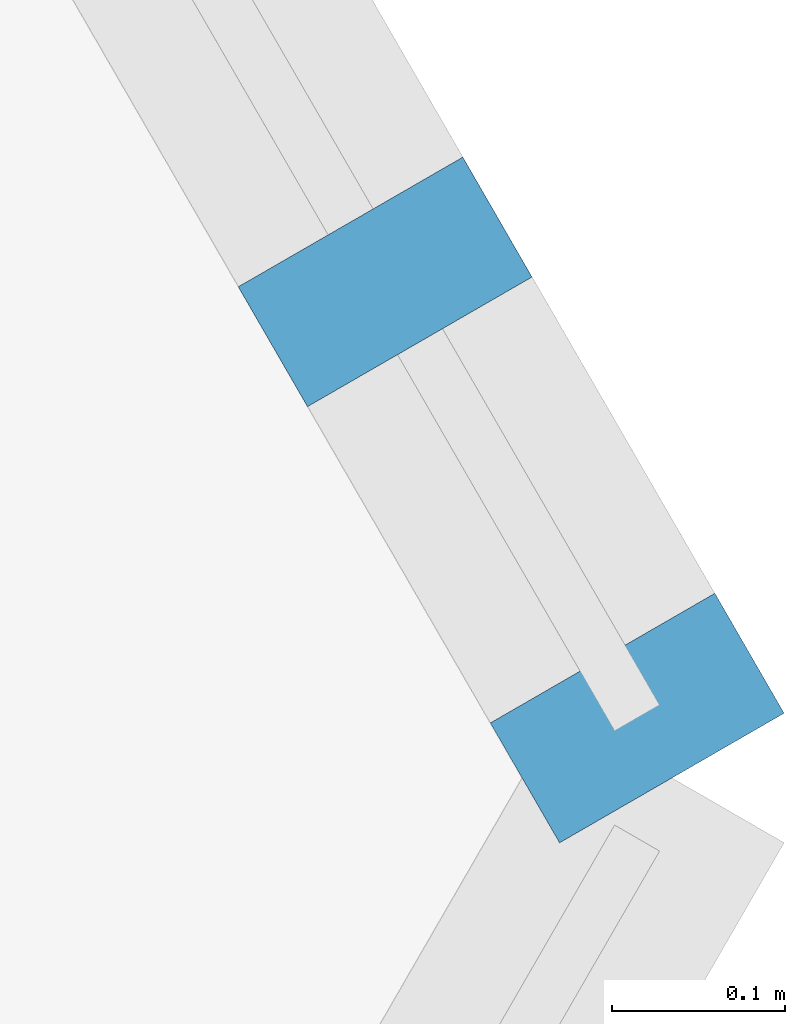
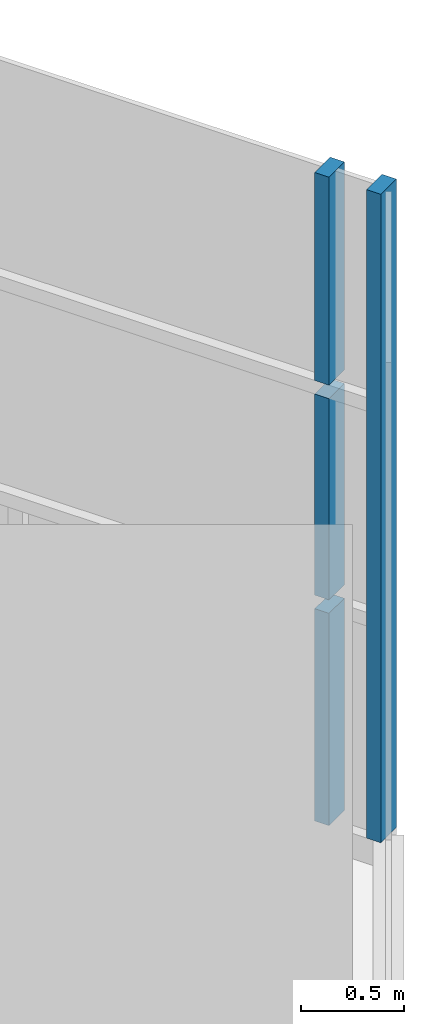
# One storey, part 12 of 26: 4 members, 1 element without a shape of its own.
"""IFC4 building model written with IfcOpenShell, lengths in metres."""

from ifc_helpers import new_model, si_unit, direction, frame, origin, origin_2d, place, context, subcontext, project, spatial, rectangle, extrude, material, layer, layer_set, material_profile, profile_set, type_object, element, aggregate, save


model = new_model("IFC4")

# Units and contexts
model_context = context("Model", 3, precision=1e-05, world=origin(), true_north=direction((0.0, 1.0)))
body_context = subcontext(model_context, "Body", "Model", "MODEL_VIEW")
ifc_project = project(units=[si_unit("LENGTHUNIT", "METRE"), si_unit("AREAUNIT", "SQUARE_METRE"), si_unit("VOLUMEUNIT", "CUBIC_METRE"), si_unit("PLANEANGLEUNIT", "RADIAN"), si_unit("MASSUNIT", "GRAM", prefix="KILO")], contexts=[model_context])

# Site, building, storey
site_placement = place(None, origin())
site = spatial("IfcSite", under=ifc_project, at=site_placement, CompositionType="ELEMENT")
building_placement = place(site_placement, origin())
building = spatial("IfcBuilding", under=site, at=building_placement, Name="Firuza Gate Tower and Library", CompositionType="ELEMENT")
storey_placement = place(building_placement, frame((0.0, 0.0, 77.800048828125)))
storey = spatial("IfcBuildingStorey", under=building, at=storey_placement, Name="L17", CompositionType="ELEMENT", Elevation=77.800048828125)

# Curtain wall, members
ifc_material_1 = material(Name="Aluminium 6063-T6", Category="aluminium")
ifc_layer = layer(ifc_material_1, 0.14990234375)
ifc_layer_set = layer_set([ifc_layer], Name="Unitised curtain wall, offices")
curtain_wall_type = type_object("IfcCurtainWallType", Name="Unitised curtain wall, offices", PredefinedType="NOTDEFINED", material=ifc_layer_set)
curtain_wall_placement = place(storey_placement, origin())
curtain_wall = element("IfcCurtainWall", 1, at=curtain_wall_placement, inside=storey, type_object=curtain_wall_type, Name="CW1 L17 E face", PredefinedType="NOTDEFINED")
ifc_material_2 = material(Name="Aluminium 6063-T6", Category="aluminium")
ifc_material_profile = material_profile(ifc_material_2, rectangle(XDim=0.14990234375, YDim=0.080078125, at=origin_2d()))
ifc_profile_set = profile_set([ifc_material_profile], Name="Aluminium 6063-T6")
member_type = type_object("IfcMemberType", Name="Curtain wall mullion 80x150", PredefinedType="MULLION", material=ifc_profile_set)
member_1_placement = place(storey_placement, frame((107.12255859375, 60.68408203125, 0.14990234375), z_axis=(0.0, 0.0, 1.0), x_axis=(-0.866025403784, -0.5, 0.0)))
member_1 = element("IfcMember", 2, at=member_1_placement, type_object=member_type, Name="Mullion", PredefinedType="MULLION", context=body_context, shape_type="SweptSolid", body=[
    extrude(rectangle(XDim=0.14990234375, YDim=0.080078125, at=origin_2d()), origin(), (0.0, 0.0, 1.0), 3.85009765625),
])
member_2_placement = place(storey_placement, frame((106.976806640625, 60.936279296875, 0.14990234375), z_axis=(0.0, 0.0, 1.0), x_axis=(-0.866025403784, -0.5, 0.0)))
member_2 = element("IfcMember", 3, at=member_2_placement, type_object=member_type, Name="Mullion", PredefinedType="MULLION", context=body_context, shape_type="SweptSolid", body=[
    extrude(rectangle(XDim=0.14990234375, YDim=0.080078125, at=origin_2d()), origin(), (0.0, 0.0, 1.0), 1.260009765625),
])
member_3_placement = place(storey_placement, frame((106.976806640625, 60.936279296875, 1.489990234375), z_axis=(0.0, 0.0, 1.0), x_axis=(-0.866025403784, -0.5, 0.0)))
member_3 = element("IfcMember", 4, at=member_3_placement, type_object=member_type, Name="Mullion", PredefinedType="MULLION", context=body_context, shape_type="SweptSolid", body=[
    extrude(rectangle(XDim=0.14990234375, YDim=0.080078125, at=origin_2d()), origin(), (0.0, 0.0, 1.0), 1.195068359375),
])
member_4_placement = place(storey_placement, frame((106.976806640625, 60.936279296875, 2.764892578125), z_axis=(0.0, 0.0, 1.0), x_axis=(-0.866025403784, -0.5, 0.0)))
member_4 = element("IfcMember", 5, at=member_4_placement, type_object=member_type, Name="Mullion", PredefinedType="MULLION", context=body_context, shape_type="SweptSolid", body=[
    extrude(rectangle(XDim=0.14990234375, YDim=0.080078125, at=origin_2d()), origin(), (0.0, 0.0, 1.0), 1.235107421875),
])
aggregate(curtain_wall, [member_1, member_2, member_3, member_4])

save(model, "model.ifc")
